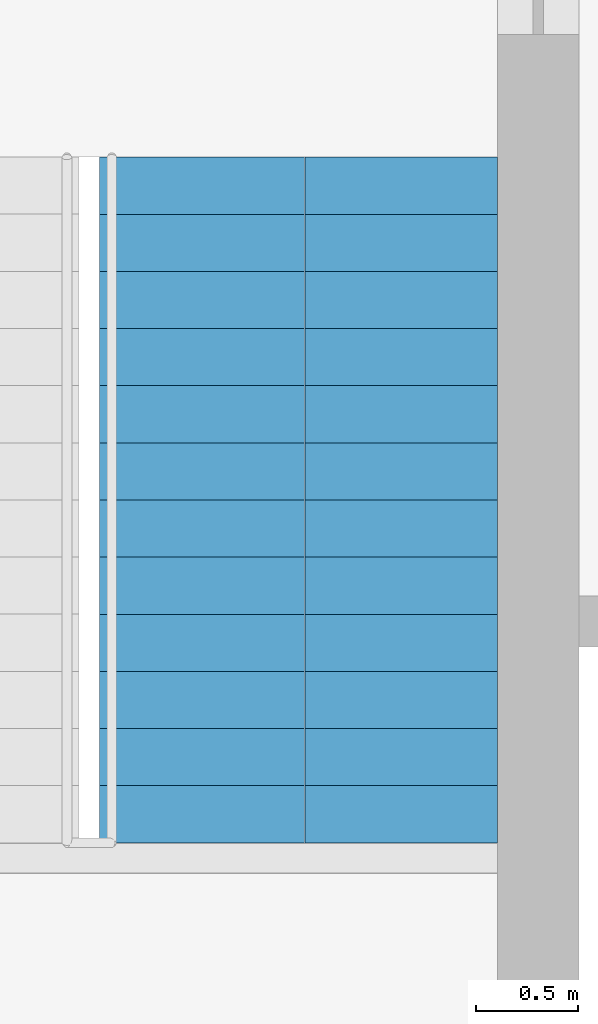
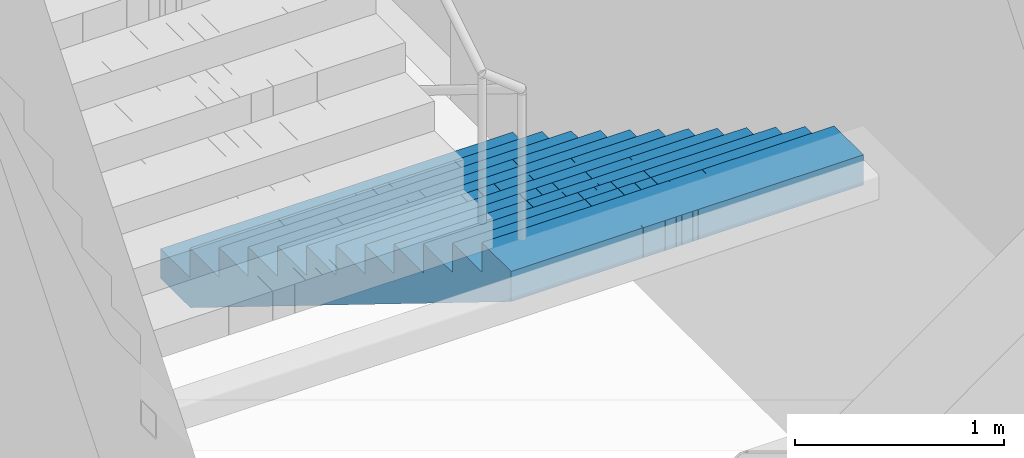
# One storey, part 18 of 34: 1 stair flight, 1 element without a shape of its own.
"""IFC4 building model written with IfcOpenShell, lengths in metres."""

from ifc_helpers import new_model, si_unit, direction, frame, origin, place, context, subcontext, project, spatial, polyline, outline, extrude, material, type_object, element, aggregate, save


model = new_model("IFC4")

# Units and contexts
model_context = context("Model", 3, precision=1e-05, world=origin(), true_north=direction((0.0, 1.0)))
body_context = subcontext(model_context, "Body", "Model", "MODEL_VIEW")
ifc_project = project(units=[si_unit("LENGTHUNIT", "METRE"), si_unit("AREAUNIT", "SQUARE_METRE"), si_unit("VOLUMEUNIT", "CUBIC_METRE"), si_unit("PLANEANGLEUNIT", "RADIAN"), si_unit("MASSUNIT", "GRAM", prefix="KILO")], contexts=[model_context])

# Site, building, storey
site_placement = place(None, origin())
site = spatial("IfcSite", under=ifc_project, at=site_placement, CompositionType="ELEMENT")
building_placement = place(site_placement, origin())
building = spatial("IfcBuilding", under=site, at=building_placement, Name="Mizan Broadcast Tower", CompositionType="ELEMENT")
storey_placement = place(building_placement, frame((0.0, 0.0, 194.39990234375)))
storey = spatial("IfcBuildingStorey", under=building, at=storey_placement, Name="L45", CompositionType="ELEMENT", Elevation=194.39990234375)

# Stair, stair flight
ifc_material_1 = material(Name="Concrete C40/50", Category="concrete")
stair_type = type_object("IfcStairType", Name="EXIT STAIR", PredefinedType="HALF_TURN_STAIR", material=ifc_material_1)
stair_placement = place(storey_placement, origin())
stair = element("IfcStair", 1, at=stair_placement, inside=storey, type_object=stair_type, Name="Stair B L45", PredefinedType="HALF_TURN_STAIR")
ifc_material_2 = material(Name="Concrete C40/50", Category="concrete")
stair_flight_type = type_object("IfcStairFlightType", Name="EXIT STAIR FLIGHT", PredefinedType="STRAIGHT", material=ifc_material_2)
stair_flight_placement = place(storey_placement, frame((1.02490234375, 7.89990234375, 0.0), z_axis=(0.0, 0.0, 1.0), x_axis=(0.0, -1.0, 0.0)))
stair_flight = element("IfcStairFlight", 2, at=stair_flight_placement, type_object=stair_flight_type, Name="B flight 1", NumberOfRisers=13, NumberOfTreads=12, PredefinedType="STRAIGHT", RiserHeight=0.173076923, TreadLength=0.28, context=body_context, shape_type="SweptSolid", body=[
    extrude(outline(polyline([(0.0, 0.0), (0.0, 0.173095703125), (0.280029296875, 0.173095703125), (0.280029296875, 0.34619140625), (0.56005859375, 0.34619140625), (0.56005859375, 0.519287109375), (0.840087890625, 0.519287109375), (0.840087890625, 0.6923828125), (1.1201171875, 0.6923828125), (1.1201171875, 0.865478515625), (1.39990234375, 0.865478515625), (1.39990234375, 1.03857421875), (1.679931640625, 1.03857421875), (1.679931640625, 1.21142578125), (1.9599609375, 1.21142578125), (1.9599609375, 1.384521484375), (2.239990234375, 1.384521484375), (2.239990234375, 1.5576171875), (2.52001953125, 1.5576171875), (2.52001953125, 1.730712890625), (2.800048828125, 1.730712890625), (2.800048828125, 1.90380859375), (3.080078125, 1.90380859375), (3.080078125, 2.076904296875), (3.360107421875, 2.076904296875), (3.360107421875, 2.25), (3.360107421875, 1.900634765625), (0.28515625, 0.0), (0.0, 0.0)])), frame((0.0, 0.97509765625, 0.0), z_axis=(0.0, -1.0, 0.0), x_axis=(1.0, 0.0, 0.0)), (0.0, 0.0, 1.0), 0.4873046875),
    extrude(outline(polyline([(0.0, 0.0), (0.0, 0.173095703125), (0.280029296875, 0.173095703125), (0.280029296875, 0.34619140625), (0.56005859375, 0.34619140625), (0.56005859375, 0.519287109375), (0.840087890625, 0.519287109375), (0.840087890625, 0.6923828125), (1.1201171875, 0.6923828125), (1.1201171875, 0.865478515625), (1.39990234375, 0.865478515625), (1.39990234375, 1.03857421875), (1.679931640625, 1.03857421875), (1.679931640625, 1.21142578125), (1.9599609375, 1.21142578125), (1.9599609375, 1.384521484375), (2.239990234375, 1.384521484375), (2.239990234375, 1.5576171875), (2.52001953125, 1.5576171875), (2.52001953125, 1.730712890625), (2.800048828125, 1.730712890625), (2.800048828125, 1.90380859375), (3.080078125, 1.90380859375), (3.080078125, 2.076904296875), (3.360107421875, 2.076904296875), (3.360107421875, 2.25), (3.360107421875, 1.900634765625), (0.28515625, 0.0), (0.0, 0.0)])), frame((0.0, 0.4873046875, 0.0), z_axis=(0.0, -1.0, 0.0), x_axis=(1.0, 0.0, 0.0)), (0.0, 0.0, 1.0), 0.2431640625),
    extrude(outline(polyline([(0.0, 0.0), (0.0, 0.173095703125), (0.280029296875, 0.173095703125), (0.280029296875, 0.34619140625), (0.56005859375, 0.34619140625), (0.56005859375, 0.519287109375), (0.840087890625, 0.519287109375), (0.840087890625, 0.6923828125), (1.1201171875, 0.6923828125), (1.1201171875, 0.865478515625), (1.39990234375, 0.865478515625), (1.39990234375, 1.03857421875), (1.679931640625, 1.03857421875), (1.679931640625, 1.21142578125), (1.9599609375, 1.21142578125), (1.9599609375, 1.384521484375), (2.239990234375, 1.384521484375), (2.239990234375, 1.5576171875), (2.52001953125, 1.5576171875), (2.52001953125, 1.730712890625), (2.800048828125, 1.730712890625), (2.800048828125, 1.90380859375), (3.080078125, 1.90380859375), (3.080078125, 2.076904296875), (3.360107421875, 2.076904296875), (3.360107421875, 2.25), (3.360107421875, 1.900634765625), (0.28515625, 0.0), (0.0, 0.0)])), frame((0.0, 0.24365234375, 0.0), z_axis=(0.0, -1.0, 0.0), x_axis=(1.0, 0.0, 0.0)), (0.0, 0.0, 1.0), 0.121337890625),
    extrude(outline(polyline([(0.0, 0.0), (0.0, 0.173095703125), (0.280029296875, 0.173095703125), (0.280029296875, 0.34619140625), (0.56005859375, 0.34619140625), (0.56005859375, 0.519287109375), (0.840087890625, 0.519287109375), (0.840087890625, 0.6923828125), (1.1201171875, 0.6923828125), (1.1201171875, 0.865478515625), (1.39990234375, 0.865478515625), (1.39990234375, 1.03857421875), (1.679931640625, 1.03857421875), (1.679931640625, 1.21142578125), (1.9599609375, 1.21142578125), (1.9599609375, 1.384521484375), (2.239990234375, 1.384521484375), (2.239990234375, 1.5576171875), (2.52001953125, 1.5576171875), (2.52001953125, 1.730712890625), (2.800048828125, 1.730712890625), (2.800048828125, 1.90380859375), (3.080078125, 1.90380859375), (3.080078125, 2.076904296875), (3.360107421875, 2.076904296875), (3.360107421875, 2.25), (3.360107421875, 1.900634765625), (0.28515625, 0.0), (0.0, 0.0)])), frame((0.0, 0.121826171875, 0.0), z_axis=(0.0, -1.0, 0.0), x_axis=(1.0, 0.0, 0.0)), (0.0, 0.0, 1.0), 0.060546875),
    extrude(outline(polyline([(0.0, 0.0), (0.0, 0.173095703125), (0.280029296875, 0.173095703125), (0.280029296875, 0.34619140625), (0.56005859375, 0.34619140625), (0.56005859375, 0.519287109375), (0.840087890625, 0.519287109375), (0.840087890625, 0.6923828125), (1.1201171875, 0.6923828125), (1.1201171875, 0.865478515625), (1.39990234375, 0.865478515625), (1.39990234375, 1.03857421875), (1.679931640625, 1.03857421875), (1.679931640625, 1.21142578125), (1.9599609375, 1.21142578125), (1.9599609375, 1.384521484375), (2.239990234375, 1.384521484375), (2.239990234375, 1.5576171875), (2.52001953125, 1.5576171875), (2.52001953125, 1.730712890625), (2.800048828125, 1.730712890625), (2.800048828125, 1.90380859375), (3.080078125, 1.90380859375), (3.080078125, 2.076904296875), (3.360107421875, 2.076904296875), (3.360107421875, 2.25), (3.360107421875, 1.900634765625), (0.28515625, 0.0), (0.0, 0.0)])), frame((0.0, 0.060791015625, 0.0), z_axis=(0.0, -1.0, 0.0), x_axis=(1.0, 0.0, 0.0)), (0.0, 0.0, 1.0), 0.030029296875),
    extrude(outline(polyline([(0.0, 0.0), (0.0, 0.173095703125), (0.280029296875, 0.173095703125), (0.280029296875, 0.34619140625), (0.56005859375, 0.34619140625), (0.56005859375, 0.519287109375), (0.840087890625, 0.519287109375), (0.840087890625, 0.6923828125), (1.1201171875, 0.6923828125), (1.1201171875, 0.865478515625), (1.39990234375, 0.865478515625), (1.39990234375, 1.03857421875), (1.679931640625, 1.03857421875), (1.679931640625, 1.21142578125), (1.9599609375, 1.21142578125), (1.9599609375, 1.384521484375), (2.239990234375, 1.384521484375), (2.239990234375, 1.5576171875), (2.52001953125, 1.5576171875), (2.52001953125, 1.730712890625), (2.800048828125, 1.730712890625), (2.800048828125, 1.90380859375), (3.080078125, 1.90380859375), (3.080078125, 2.076904296875), (3.360107421875, 2.076904296875), (3.360107421875, 2.25), (3.360107421875, 1.900634765625), (0.28515625, 0.0), (0.0, 0.0)])), frame((0.0, 0.0302734375, 0.0), z_axis=(0.0, -1.0, 0.0), x_axis=(1.0, 0.0, 0.0)), (0.0, 0.0, 1.0), 0.060302734375),
    extrude(outline(polyline([(0.0, 0.0), (0.0, 0.173095703125), (0.280029296875, 0.173095703125), (0.280029296875, 0.34619140625), (0.56005859375, 0.34619140625), (0.56005859375, 0.519287109375), (0.840087890625, 0.519287109375), (0.840087890625, 0.6923828125), (1.1201171875, 0.6923828125), (1.1201171875, 0.865478515625), (1.39990234375, 0.865478515625), (1.39990234375, 1.03857421875), (1.679931640625, 1.03857421875), (1.679931640625, 1.21142578125), (1.9599609375, 1.21142578125), (1.9599609375, 1.384521484375), (2.239990234375, 1.384521484375), (2.239990234375, 1.5576171875), (2.52001953125, 1.5576171875), (2.52001953125, 1.730712890625), (2.800048828125, 1.730712890625), (2.800048828125, 1.90380859375), (3.080078125, 1.90380859375), (3.080078125, 2.076904296875), (3.360107421875, 2.076904296875), (3.360107421875, 2.25), (3.360107421875, 1.900634765625), (0.28515625, 0.0), (0.0, 0.0)])), frame((0.0, -0.030517578125, 0.0), z_axis=(0.0, -1.0, 0.0), x_axis=(1.0, 0.0, 0.0)), (0.0, 0.0, 1.0), 0.030029296875),
    extrude(outline(polyline([(0.0, 0.0), (0.0, 0.173095703125), (0.280029296875, 0.173095703125), (0.280029296875, 0.34619140625), (0.56005859375, 0.34619140625), (0.56005859375, 0.519287109375), (0.840087890625, 0.519287109375), (0.840087890625, 0.6923828125), (1.1201171875, 0.6923828125), (1.1201171875, 0.865478515625), (1.39990234375, 0.865478515625), (1.39990234375, 1.03857421875), (1.679931640625, 1.03857421875), (1.679931640625, 1.21142578125), (1.9599609375, 1.21142578125), (1.9599609375, 1.384521484375), (2.239990234375, 1.384521484375), (2.239990234375, 1.5576171875), (2.52001953125, 1.5576171875), (2.52001953125, 1.730712890625), (2.800048828125, 1.730712890625), (2.800048828125, 1.90380859375), (3.080078125, 1.90380859375), (3.080078125, 2.076904296875), (3.360107421875, 2.076904296875), (3.360107421875, 2.25), (3.360107421875, 1.900634765625), (0.28515625, 0.0), (0.0, 0.0)])), frame((0.0, -0.06103515625, 0.0), z_axis=(0.0, -1.0, 0.0), x_axis=(1.0, 0.0, 0.0)), (0.0, 0.0, 1.0), 0.060546875),
    extrude(outline(polyline([(0.0, 0.0), (0.0, 0.173095703125), (0.280029296875, 0.173095703125), (0.280029296875, 0.34619140625), (0.56005859375, 0.34619140625), (0.56005859375, 0.519287109375), (0.840087890625, 0.519287109375), (0.840087890625, 0.6923828125), (1.1201171875, 0.6923828125), (1.1201171875, 0.865478515625), (1.39990234375, 0.865478515625), (1.39990234375, 1.03857421875), (1.679931640625, 1.03857421875), (1.679931640625, 1.21142578125), (1.9599609375, 1.21142578125), (1.9599609375, 1.384521484375), (2.239990234375, 1.384521484375), (2.239990234375, 1.5576171875), (2.52001953125, 1.5576171875), (2.52001953125, 1.730712890625), (2.800048828125, 1.730712890625), (2.800048828125, 1.90380859375), (3.080078125, 1.90380859375), (3.080078125, 2.076904296875), (3.360107421875, 2.076904296875), (3.360107421875, 2.25), (3.360107421875, 1.900634765625), (0.28515625, 0.0), (0.0, 0.0)])), frame((0.0, -0.1220703125, 0.0), z_axis=(0.0, -1.0, 0.0), x_axis=(1.0, 0.0, 0.0)), (0.0, 0.0, 1.0), 0.121337890625),
    extrude(outline(polyline([(0.0, 0.0), (0.0, 0.173095703125), (0.280029296875, 0.173095703125), (0.280029296875, 0.34619140625), (0.56005859375, 0.34619140625), (0.56005859375, 0.519287109375), (0.840087890625, 0.519287109375), (0.840087890625, 0.6923828125), (1.1201171875, 0.6923828125), (1.1201171875, 0.865478515625), (1.39990234375, 0.865478515625), (1.39990234375, 1.03857421875), (1.679931640625, 1.03857421875), (1.679931640625, 1.21142578125), (1.9599609375, 1.21142578125), (1.9599609375, 1.384521484375), (2.239990234375, 1.384521484375), (2.239990234375, 1.5576171875), (2.52001953125, 1.5576171875), (2.52001953125, 1.730712890625), (2.800048828125, 1.730712890625), (2.800048828125, 1.90380859375), (3.080078125, 1.90380859375), (3.080078125, 2.076904296875), (3.360107421875, 2.076904296875), (3.360107421875, 2.25), (3.360107421875, 1.900634765625), (0.28515625, 0.0), (0.0, 0.0)])), frame((0.0, -0.243896484375, 0.0), z_axis=(0.0, -1.0, 0.0), x_axis=(1.0, 0.0, 0.0)), (0.0, 0.0, 1.0), 0.2431640625),
    extrude(outline(polyline([(0.0, 0.0), (0.0, 0.173095703125), (0.280029296875, 0.173095703125), (0.280029296875, 0.34619140625), (0.56005859375, 0.34619140625), (0.56005859375, 0.519287109375), (0.840087890625, 0.519287109375), (0.840087890625, 0.6923828125), (1.1201171875, 0.6923828125), (1.1201171875, 0.865478515625), (1.39990234375, 0.865478515625), (1.39990234375, 1.03857421875), (1.679931640625, 1.03857421875), (1.679931640625, 1.21142578125), (1.9599609375, 1.21142578125), (1.9599609375, 1.384521484375), (2.239990234375, 1.384521484375), (2.239990234375, 1.5576171875), (2.52001953125, 1.5576171875), (2.52001953125, 1.730712890625), (2.800048828125, 1.730712890625), (2.800048828125, 1.90380859375), (3.080078125, 1.90380859375), (3.080078125, 2.076904296875), (3.360107421875, 2.076904296875), (3.360107421875, 2.25), (3.360107421875, 1.900634765625), (0.28515625, 0.0), (0.0, 0.0)])), frame((0.0, -0.487548828125, 0.0), z_axis=(0.0, -1.0, 0.0), x_axis=(1.0, 0.0, 0.0)), (0.0, 0.0, 1.0), 0.4873046875),
])
aggregate(stair, [stair_flight])

save(model, "model.ifc")
